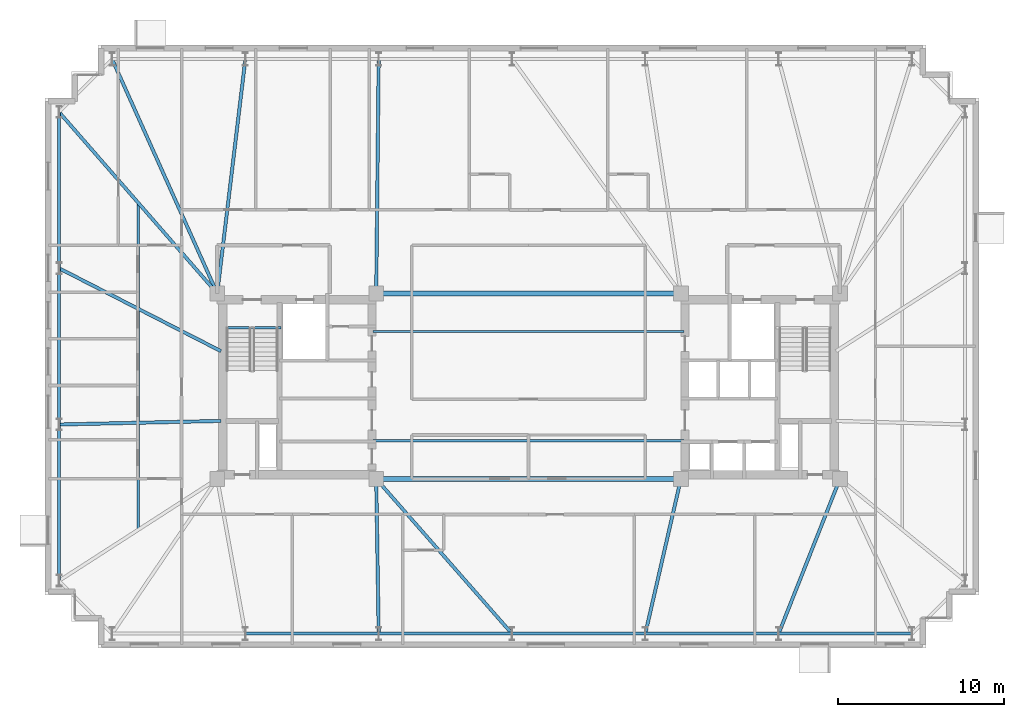
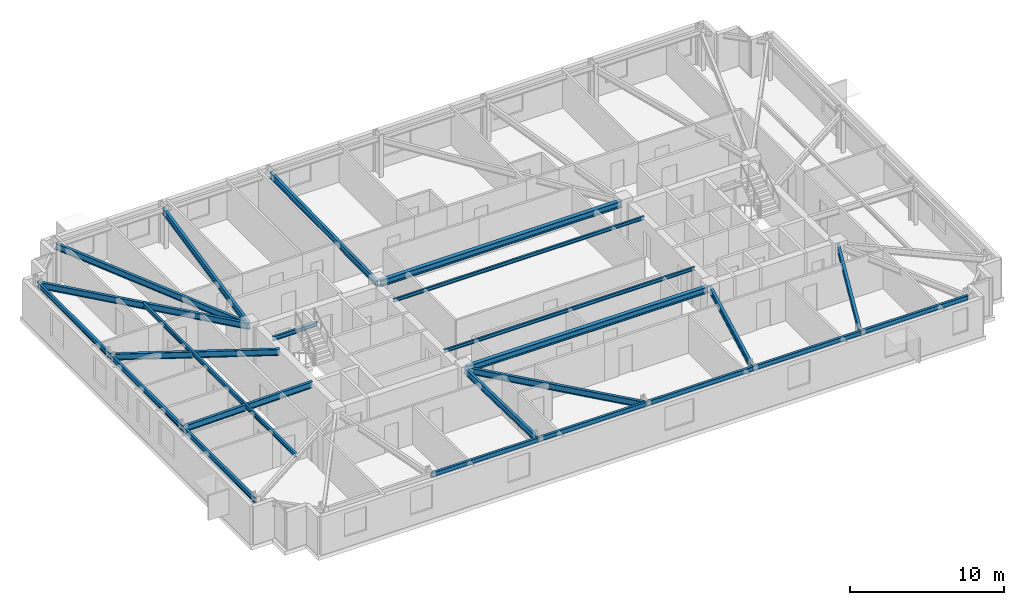
# One storey, part 4 of 17: 24 beams.
"""IFC4 building model written with IfcOpenShell, lengths in metres."""

from ifc_helpers import new_model, si_unit, direction, frame, origin, origin_2d, place, context, subcontext, project, spatial, i_section, extrude, material, material_profile, profile_set, type_object, element, save


model = new_model("IFC4")

# Units and contexts
model_context = context("Model", 3, precision=1e-05, world=origin(), true_north=direction((0.0, 1.0)))
body_context = subcontext(model_context, "Body", "Model", "MODEL_VIEW")
ifc_project = project(units=[si_unit("LENGTHUNIT", "METRE"), si_unit("AREAUNIT", "SQUARE_METRE"), si_unit("VOLUMEUNIT", "CUBIC_METRE"), si_unit("PLANEANGLEUNIT", "RADIAN"), si_unit("MASSUNIT", "GRAM", prefix="KILO")], contexts=[model_context])

# Site, building, storey
site_placement = place(None, origin())
site = spatial("IfcSite", under=ifc_project, at=site_placement, CompositionType="ELEMENT")
building_placement = place(site_placement, origin())
building = spatial("IfcBuilding", under=site, at=building_placement, Name="Qobustan Lattice House", CompositionType="ELEMENT")
storey_placement = place(building_placement, frame((0.0, 0.0, 167.85009765625)))
storey = spatial("IfcBuildingStorey", under=building, at=storey_placement, Name="L47", CompositionType="ELEMENT", Elevation=167.85009765625)

# Beams
ifc_material_1 = material(Name="Steel S355", Category="steel")
ifc_material_profile_1 = material_profile(ifc_material_1, i_section(OverallWidth=0.300048828125, OverallDepth=0.5, WebThickness=0.014404296875, FlangeThickness=0.028076171875, FilletRadius=0.027099609375, at=origin_2d()), Name="HEB500")
ifc_profile_set_1 = profile_set([ifc_material_profile_1], Name="Steel S355")
beam_type_1 = type_object("IfcBeamType", Name="BM-CG-HEB500", PredefinedType="USERDEFINED", material=ifc_profile_set_1)
for number, where, z_axis, x_axis, name in (
    (1, (-9.050048828125, -5.60009765625, 2.789794921875), (1.0, 0.0, 0.0), (0.0, 1.0, 0.0), "L47 core spine girder CG-CS"),
    (2, (-9.050048828125, 5.60009765625, 2.789794921875), (1.0, 0.0, 0.0), (0.0, 1.0, 0.0), "L47 core spine girder CG-CN"),
):
    element("IfcBeam", number, at=place(storey_placement, frame(where, z_axis=z_axis, x_axis=x_axis)), inside=storey, type_object=beam_type_1, Name=name, ObjectType="GIRDER", PredefinedType="USERDEFINED", context=body_context, shape_type="SweptSolid", body=[
        extrude(i_section(OverallWidth=0.300048828125, OverallDepth=0.5, WebThickness=0.014404296875, FlangeThickness=0.028076171875, FilletRadius=0.027099609375, at=origin_2d()), origin(), (0.0, 0.0, 1.0), 18.10009765625),
    ])
ifc_material_2 = material(Name="Steel S355", Category="steel")
ifc_material_profile_2 = material_profile(ifc_material_2, i_section(OverallWidth=0.199951171875, OverallDepth=0.5, WebThickness=0.01025390625, FlangeThickness=0.01611328125, FilletRadius=0.02099609375, at=origin_2d()), Name="IPE500")
ifc_profile_set_2 = profile_set([ifc_material_profile_2], Name="Steel S355")
beam_type_2 = type_object("IfcBeamType", Name="BM-FLG-IPE500", PredefinedType="USERDEFINED", material=ifc_profile_set_2)
beam_1_placement = place(storey_placement, frame((-9.05029296875, -14.925048828125, 2.789794921875), z_axis=(-0.016063870849, 0.999870967702, 0.0), x_axis=(-0.999870967702, -0.016063870849, 0.0)))
element("IfcBeam", 3, at=beam_1_placement, inside=storey, type_object=beam_type_2, Name="L47 primary floor girder RAD-S3", ObjectType="GIRDER", PredefinedType="USERDEFINED", context=body_context, shape_type="SweptSolid", body=[
    extrude(i_section(OverallWidth=0.199951171875, OverallDepth=0.5, WebThickness=0.01025390625, FlangeThickness=0.01611328125, FilletRadius=0.02099609375, at=origin_2d()), origin(), (0.0, 0.0, 1.0), 9.30126953125),
])
beam_2_placement = place(storey_placement, frame((-1.0166015625, -14.93115234375, 2.789794921875), z_axis=(-0.659362380156, 0.751825279992, 0.0), x_axis=(-0.751825279992, -0.659362380156, 0.0)))
element("IfcBeam", 4, at=beam_2_placement, inside=storey, type_object=beam_type_2, Name="L47 primary floor girder RAD-S4", ObjectType="GIRDER", PredefinedType="USERDEFINED", context=body_context, shape_type="SweptSolid", body=[
    extrude(i_section(OverallWidth=0.199951171875, OverallDepth=0.5, WebThickness=0.01025390625, FlangeThickness=0.01611328125, FilletRadius=0.02099609375, at=origin_2d()), origin(), (0.0, 0.0, 1.0), 12.38623046875),
])
beam_3_placement = place(storey_placement, frame((7.0556640625, -14.925537109375, 2.789794921875), z_axis=(0.224091568854, 0.974568093449, 0.0), x_axis=(-0.974568093449, 0.224091568854, 0.0)))
element("IfcBeam", 5, at=beam_3_placement, inside=storey, type_object=beam_type_2, Name="L47 primary floor girder RAD-S5", ObjectType="GIRDER", PredefinedType="USERDEFINED", context=body_context, shape_type="SweptSolid", body=[
    extrude(i_section(OverallWidth=0.199951171875, OverallDepth=0.5, WebThickness=0.01025390625, FlangeThickness=0.01611328125, FilletRadius=0.02099609375, at=origin_2d()), origin(), (0.0, 0.0, 1.0), 9.543701171875),
])
beam_4_placement = place(storey_placement, frame((15.109130859375, -14.9267578125, 2.789794921875), z_axis=(0.367963628184, 0.929840184297, 0.0), x_axis=(-0.929840184297, 0.367963628184, 0.0)))
element("IfcBeam", 6, at=beam_4_placement, inside=storey, type_object=beam_type_2, Name="L47 primary floor girder RAD-S6", ObjectType="GIRDER", PredefinedType="USERDEFINED", context=body_context, shape_type="SweptSolid", body=[
    extrude(i_section(OverallWidth=0.199951171875, OverallDepth=0.5, WebThickness=0.01025390625, FlangeThickness=0.01611328125, FilletRadius=0.02099609375, at=origin_2d()), origin(), (0.0, 0.0, 1.0), 10.00537109375),
])
beam_5_placement = place(storey_placement, frame((-25.139892578125, 19.727294921875, 2.789794921875), z_axis=(0.409426782108, -0.912342978321, 0.0), x_axis=(0.912342978321, 0.409426782108, 0.0)))
element("IfcBeam", 7, at=beam_5_placement, inside=storey, type_object=beam_type_2, Name="L47 primary floor girder RAD-N7W", ObjectType="GIRDER", PredefinedType="USERDEFINED", context=body_context, shape_type="SweptSolid", body=[
    extrude(i_section(OverallWidth=0.199951171875, OverallDepth=0.5, WebThickness=0.01025390625, FlangeThickness=0.01611328125, FilletRadius=0.02099609375, at=origin_2d()), origin(), (0.0, 0.0, 1.0), 15.459716796875),
])
beam_6_placement = place(storey_placement, frame((-17.10302734375, 19.72509765625, 2.789794921875), z_axis=(-0.119287572963, -0.992859745854, 0.0), x_axis=(0.992859745854, -0.119287572963, 0.0)))
element("IfcBeam", 8, at=beam_6_placement, inside=storey, type_object=beam_type_2, Name="L47 primary floor girder RAD-N6", ObjectType="GIRDER", PredefinedType="USERDEFINED", context=body_context, shape_type="SweptSolid", body=[
    extrude(i_section(OverallWidth=0.199951171875, OverallDepth=0.5, WebThickness=0.01025390625, FlangeThickness=0.01611328125, FilletRadius=0.02099609375, at=origin_2d()), origin(), (0.0, 0.0, 1.0), 14.20166015625),
])
beam_7_placement = place(storey_placement, frame((-9.05029296875, 19.72509765625, 2.789794921875), z_axis=(-0.010596073732, -0.999943860035, 0.0), x_axis=(0.999943860035, -0.010596073732, 0.0)))
element("IfcBeam", 9, at=beam_7_placement, inside=storey, type_object=beam_type_2, Name="L47 primary floor girder RAD-N5", ObjectType="GIRDER", PredefinedType="USERDEFINED", context=body_context, shape_type="SweptSolid", body=[
    extrude(i_section(OverallWidth=0.199951171875, OverallDepth=0.5, WebThickness=0.01025390625, FlangeThickness=0.01611328125, FilletRadius=0.02099609375, at=origin_2d()), origin(), (0.0, 0.0, 1.0), 14.100830078125),
])
beam_8_placement = place(storey_placement, frame((-28.33349609375, 16.53125, 2.789794921875), z_axis=(0.657282573618, -0.75364422536, 0.0), x_axis=(0.75364422536, 0.657282573618, 0.0)))
element("IfcBeam", 10, at=beam_8_placement, inside=storey, type_object=beam_type_2, Name="L47 primary floor girder RAD-W1", ObjectType="GIRDER", PredefinedType="USERDEFINED", context=body_context, shape_type="SweptSolid", body=[
    extrude(i_section(OverallWidth=0.199951171875, OverallDepth=0.5, WebThickness=0.01025390625, FlangeThickness=0.01611328125, FilletRadius=0.02099609375, at=origin_2d()), origin(), (0.0, 0.0, 1.0), 14.4794921875),
])
beam_9_placement = place(storey_placement, frame((-28.32763671875, 7.105224609375, 2.789794921875), z_axis=(0.89014541584, -0.455676572426, 0.0), x_axis=(0.455676572426, 0.89014541584, 0.0)))
element("IfcBeam", 11, at=beam_9_placement, inside=storey, type_object=beam_type_2, Name="L47 primary floor girder RAD-W2", ObjectType="GIRDER", PredefinedType="USERDEFINED", context=body_context, shape_type="SweptSolid", body=[
    extrude(i_section(OverallWidth=0.199951171875, OverallDepth=0.5, WebThickness=0.01025390625, FlangeThickness=0.01611328125, FilletRadius=0.02099609375, at=origin_2d()), origin(), (0.0, 0.0, 1.0), 10.959228515625),
])
beam_10_placement = place(storey_placement, frame((-28.324951171875, -2.316162109375, 2.789794921875), z_axis=(0.999755655209, 0.022104974047, 0.0), x_axis=(-0.022104974047, 0.999755655209, 0.0)))
element("IfcBeam", 12, at=beam_10_placement, inside=storey, type_object=beam_type_2, Name="L47 primary floor girder RAD-W3", ObjectType="GIRDER", PredefinedType="USERDEFINED", context=body_context, shape_type="SweptSolid", body=[
    extrude(i_section(OverallWidth=0.199951171875, OverallDepth=0.5, WebThickness=0.01025390625, FlangeThickness=0.01611328125, FilletRadius=0.02099609375, at=origin_2d()), origin(), (0.0, 0.0, 1.0), 9.75244140625),
])
ifc_material_3 = material(Name="Steel S355", Category="steel")
ifc_material_profile_3 = material_profile(ifc_material_3, i_section(OverallWidth=0.135009765625, OverallDepth=0.27001953125, WebThickness=0.006591796875, FlangeThickness=0.01025390625, FilletRadius=0.014892578125, at=origin_2d()), Name="IPE270")
ifc_profile_set_3 = profile_set([ifc_material_profile_3], Name="Steel S355")
beam_type_3 = type_object("IfcBeamType", Name="BM-JST-IPE270", PredefinedType="JOIST", material=ifc_profile_set_3)
for number, where, z_axis, x_axis, name in (
    (13, (-9.39990234375, -3.300048828125, 2.90478515625), (1.0, 0.0, 0.0), (0.0, 1.0, 0.0), "L47 central span floor joist 1"),
    (14, (-9.39990234375, 3.300048828125, 2.90478515625), (1.0, 0.0, 0.0), (0.0, 1.0, 0.0), "L47 central span floor joist 2"),
):
    element("IfcBeam", number, at=place(storey_placement, frame(where, z_axis=z_axis, x_axis=x_axis)), inside=storey, type_object=beam_type_3, Name=name, PredefinedType="JOIST", context=body_context, shape_type="SweptSolid", body=[
        extrude(i_section(OverallWidth=0.135009765625, OverallDepth=0.27001953125, WebThickness=0.006591796875, FlangeThickness=0.01025390625, FilletRadius=0.014892578125, at=origin_2d()), origin(), (0.0, 0.0, 1.0), 18.7998046875),
    ])
ifc_material_4 = material(Name="Steel S355", Category="steel")
ifc_material_profile_4 = material_profile(ifc_material_4, i_section(OverallWidth=0.159912109375, OverallDepth=0.330078125, WebThickness=0.007568359375, FlangeThickness=0.011474609375, FilletRadius=0.01806640625, at=origin_2d()), Name="IPE330")
ifc_profile_set_4 = profile_set([ifc_material_profile_4], Name="Steel S355")
beam_type_4 = type_object("IfcBeamType", Name="BM-SEC-IPE330", PredefinedType="BEAM", material=ifc_profile_set_4)
beam_11_placement = place(storey_placement, frame((-23.574951171875, 11.074951171875, 2.875), z_axis=(0.0, -1.0, 0.0), x_axis=(1.0, 0.0, 0.0)))
element("IfcBeam", 15, at=beam_11_placement, inside=storey, type_object=beam_type_4, Name="L47 west wing secondary beam", PredefinedType="BEAM", context=body_context, shape_type="SweptSolid", body=[
    extrude(i_section(OverallWidth=0.159912109375, OverallDepth=0.330078125, WebThickness=0.007568359375, FlangeThickness=0.011474609375, FilletRadius=0.01806640625, at=origin_2d()), origin(), (0.0, 0.0, 1.0), 19.75),
])
ifc_material_5 = material(Name="Steel S355", Category="steel")
ifc_material_profile_5 = material_profile(ifc_material_5, i_section(OverallWidth=0.159912109375, OverallDepth=0.330078125, WebThickness=0.007568359375, FlangeThickness=0.011474609375, FilletRadius=0.01806640625, at=origin_2d()), Name="IPE330")
ifc_profile_set_5 = profile_set([ifc_material_profile_5], Name="Steel S355")
beam_type_5 = type_object("IfcBeamType", Name="BM-SPD-IPE330", PredefinedType="SPANDREL", material=ifc_profile_set_5)
beam_12_placement = place(storey_placement, frame((-18.300048828125, 3.52001953125, 2.875), z_axis=(1.0, 0.0, 0.0), x_axis=(0.0, 1.0, 0.0)))
element("IfcBeam", 16, at=beam_12_placement, inside=storey, type_object=beam_type_5, Name="L47 west stair landing trimmer beam", PredefinedType="SPANDREL", context=body_context, shape_type="SweptSolid", body=[
    extrude(i_section(OverallWidth=0.159912109375, OverallDepth=0.330078125, WebThickness=0.007568359375, FlangeThickness=0.011474609375, FilletRadius=0.01806640625, at=origin_2d()), origin(), (0.0, 0.0, 1.0), 3.35009765625),
])
ifc_material_6 = material(Name="Steel S355", Category="steel")
ifc_material_profile_6 = material_profile(ifc_material_6, i_section(OverallWidth=0.179931640625, OverallDepth=0.39990234375, WebThickness=0.008544921875, FlangeThickness=0.013427734375, FilletRadius=0.02099609375, at=origin_2d()), Name="IPE400")
ifc_profile_set_6 = profile_set([ifc_material_profile_6], Name="Steel S355")
beam_type_6 = type_object("IfcBeamType", Name="BM-SPD-IPE400", PredefinedType="SPANDREL", material=ifc_profile_set_6)
for number, where, z_axis, x_axis, name in (
    (17, (-17.074951171875, -14.949951171875, 2.83984375), (1.0, 0.0, 0.0), (0.0, 1.0, 0.0), "L47 perimeter spandrel S2-S3"),
    (18, (-9.02490234375, -14.949951171875, 2.83984375), (1.0, 0.0, 0.0), (0.0, 1.0, 0.0), "L47 perimeter spandrel S3-S4"),
    (19, (-0.97509765625, -14.949951171875, 2.83984375), (1.0, 0.0, 0.0), (0.0, 1.0, 0.0), "L47 perimeter spandrel S4-S5"),
    (20, (7.074951171875, -14.949951171875, 2.83984375), (1.0, 0.0, 0.0), (0.0, 1.0, 0.0), "L47 perimeter spandrel S5-S6"),
    (21, (15.125, -14.949951171875, 2.83984375), (1.0, 0.0, 0.0), (0.0, 1.0, 0.0), "L47 perimeter spandrel S6-S7"),
):
    element("IfcBeam", number, at=place(storey_placement, frame(where, z_axis=z_axis, x_axis=x_axis)), inside=storey, type_object=beam_type_6, Name=name, PredefinedType="SPANDREL", context=body_context, shape_type="SweptSolid", body=[
        extrude(i_section(OverallWidth=0.179931640625, OverallDepth=0.39990234375, WebThickness=0.008544921875, FlangeThickness=0.013427734375, FilletRadius=0.02099609375, at=origin_2d()), origin(), (0.0, 0.0, 1.0), 8.0),
    ])
beam_13_placement = place(storey_placement, frame((-28.35009765625, 16.52490234375, 2.83984375), z_axis=(0.0, -1.0, 0.0), x_axis=(1.0, 0.0, 0.0)))
element("IfcBeam", 22, at=beam_13_placement, inside=storey, type_object=beam_type_6, Name="L47 perimeter spandrel W1-W2", PredefinedType="SPANDREL", context=body_context, shape_type="SweptSolid", body=[
    extrude(i_section(OverallWidth=0.179931640625, OverallDepth=0.39990234375, WebThickness=0.008544921875, FlangeThickness=0.013427734375, FilletRadius=0.02099609375, at=origin_2d()), origin(), (0.0, 0.0, 1.0), 9.38330078125),
])
beam_14_placement = place(storey_placement, frame((-28.35009765625, 7.091796875, 2.83984375), z_axis=(0.0, -1.0, 0.0), x_axis=(1.0, 0.0, 0.0)))
element("IfcBeam", 23, at=beam_14_placement, inside=storey, type_object=beam_type_6, Name="L47 perimeter spandrel W2-W3", PredefinedType="SPANDREL", context=body_context, shape_type="SweptSolid", body=[
    extrude(i_section(OverallWidth=0.179931640625, OverallDepth=0.39990234375, WebThickness=0.008544921875, FlangeThickness=0.013427734375, FilletRadius=0.02099609375, at=origin_2d()), origin(), (0.0, 0.0, 1.0), 9.383544921875),
])
beam_15_placement = place(storey_placement, frame((-28.35009765625, -2.341796875, 2.83984375), z_axis=(0.0, -1.0, 0.0), x_axis=(1.0, 0.0, 0.0)))
element("IfcBeam", 24, at=beam_15_placement, inside=storey, type_object=beam_type_6, Name="L47 perimeter spandrel W3-W4", PredefinedType="SPANDREL", context=body_context, shape_type="SweptSolid", body=[
    extrude(i_section(OverallWidth=0.179931640625, OverallDepth=0.39990234375, WebThickness=0.008544921875, FlangeThickness=0.013427734375, FilletRadius=0.02099609375, at=origin_2d()), origin(), (0.0, 0.0, 1.0), 9.38330078125),
])

save(model, "model.ifc")
